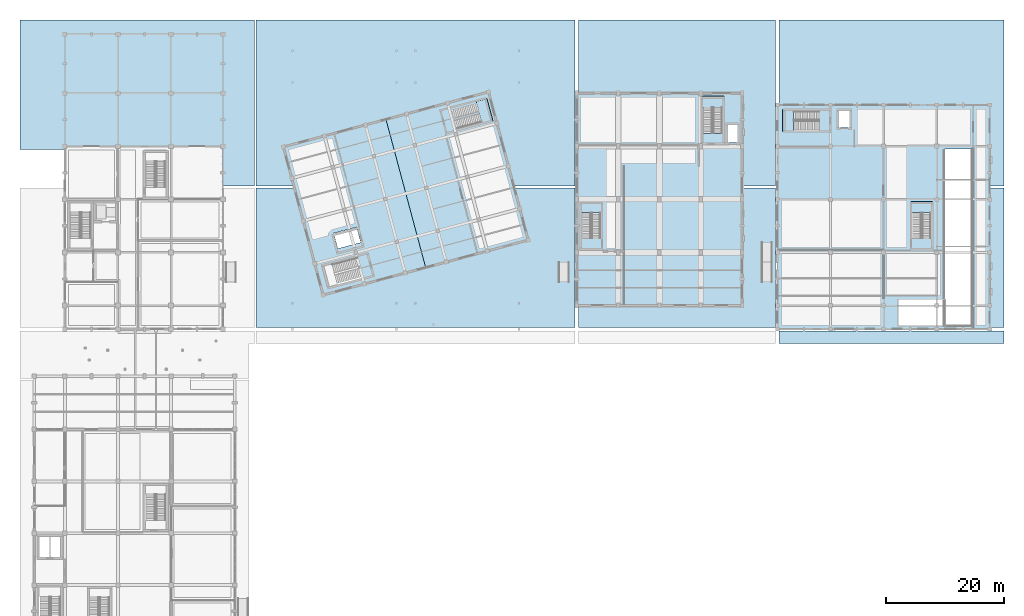
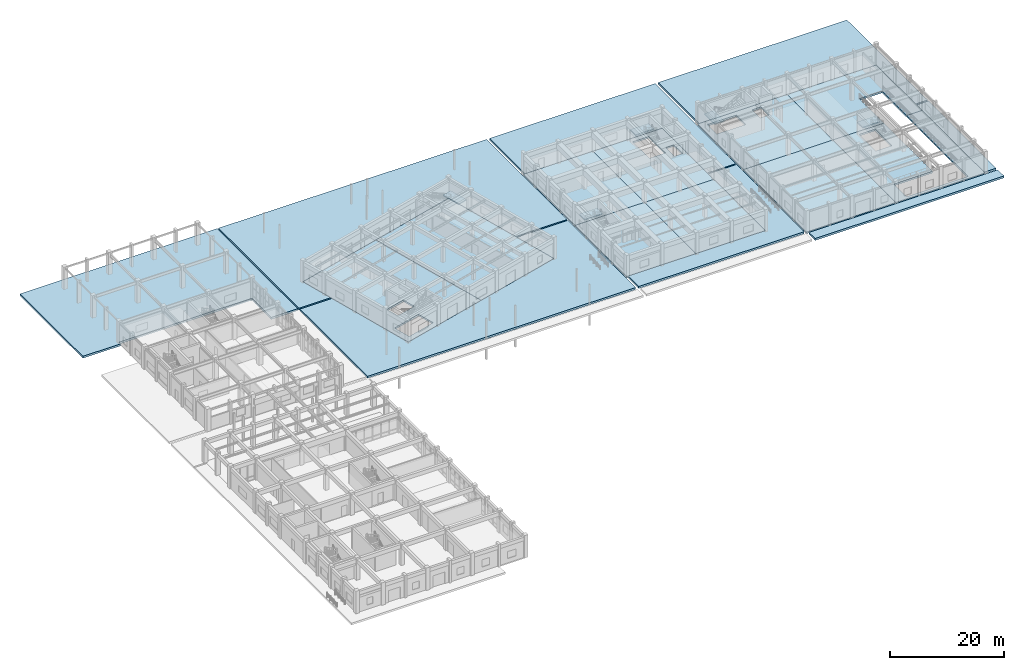
# One storey, part 31 of 47: 23 slabs, 5 elements without a shape of their own.
"""IFC4 building model written with IfcOpenShell, lengths in metres."""

import ifcopenshell
import ifcopenshell.guid

model = None  # the IFC model being written
_history = None  # IfcOwnerHistory: only IFC2X3 demands one
_inside = {}  # id of a spatial element -> (the spatial element, [elements in it])
_under = {}  # id of a project, library or spatial element -> (it, [spatial elements below it])
_declared = {}  # id of a project -> (the project, [libraries it declares])
_typed = {}  # id of a type object -> (the type object, [elements of that type])
_made_of = {}  # id of a material, layer set ... -> (it, [elements and type objects made of it])


def new_model(schema):
    """Start an empty IFC model of exactly this schema.

    Asked for "IFC4X3", IfcOpenShell would pick the latest addendum, in which some entities
    have other attributes; the version numbers below select the first issue.
    IFC2X3 requires an IfcOwnerHistory on every rooted entity: one is made here for all.
    """
    global model, _history
    if schema == "IFC4X3":
        model = ifcopenshell.file(schema_version=(4, 3, 0, 0))
    else:
        model = ifcopenshell.file(schema=schema)
    _inside.clear()
    _under.clear()
    _declared.clear()
    _typed.clear()
    _made_of.clear()
    _history = None
    if model.schema == "IFC2X3":
        org = make("IfcOrganization", Name="unknown")
        user = make(
            "IfcPersonAndOrganization",
            ThePerson=make("IfcPerson", FamilyName="unknown"),
            TheOrganization=org,
        )
        app = make(
            "IfcApplication",
            ApplicationDeveloper=org,
            Version="unknown",
            ApplicationFullName="unknown",
            ApplicationIdentifier="unknown",
        )
        _history = make(
            "IfcOwnerHistory",
            OwningUser=user,
            OwningApplication=app,
            ChangeAction="ADDED",
            CreationDate=0,
        )
    return model


def make(cls, **values):
    """One entity of the class cls with the attributes given. An attribute that is None is left unset."""
    return model.create_entity(
        cls, **{name: value for name, value in values.items() if value is not None}
    )


def rooted(cls, **values):
    """An entity with a GlobalId (a new one), such as an element, a storey or a relation."""
    return make(cls, GlobalId=ifcopenshell.guid.new(), OwnerHistory=_history, **values)


def si_unit(unit_type, name, prefix=None):
    """IfcSIUnit, for example si_unit("LENGTHUNIT", "METRE", prefix="MILLI")."""
    return make("IfcSIUnit", UnitType=unit_type, Prefix=prefix, Name=name)


def assignment(units):
    """IfcUnitAssignment: the units of a project."""
    return None if units is None else make("IfcUnitAssignment", Units=units)


def point(xyz):
    """IfcCartesianPoint."""
    return None if xyz is None else make("IfcCartesianPoint", Coordinates=xyz)


def direction(xyz):
    """IfcDirection."""
    return None if xyz is None else make("IfcDirection", DirectionRatios=xyz)


def frame(location, z_axis=None, x_axis=None):
    """IfcAxis2Placement3D, a coordinate frame: its origin and axes. An axis left out is left unset."""
    return make(
        "IfcAxis2Placement3D",
        Location=point(location),
        Axis=direction(z_axis),
        RefDirection=direction(x_axis),
    )


def origin():
    """The frame at (0, 0, 0) with its axes left unset."""
    return frame((0.0, 0.0, 0.0))


def place(relative_to, where):
    """IfcLocalPlacement: puts the frame where relative to a parent placement (None: the world)."""
    return make(
        "IfcLocalPlacement", PlacementRelTo=relative_to, RelativePlacement=where
    )


def context(
    kind, dimensions, precision=None, world=None, true_north=None, identifier=None
):
    """IfcGeometricRepresentationContext, for example the 3D "Model" context."""
    return make(
        "IfcGeometricRepresentationContext",
        ContextIdentifier=identifier,
        ContextType=kind,
        CoordinateSpaceDimension=dimensions,
        Precision=precision,
        WorldCoordinateSystem=world,
        TrueNorth=true_north,
    )


def subcontext(parent, identifier, kind, view, scale=None):
    """IfcGeometricRepresentationSubContext, for example "Body" below "Model"."""
    return make(
        "IfcGeometricRepresentationSubContext",
        ContextIdentifier=identifier,
        ContextType=kind,
        ParentContext=parent,
        TargetScale=scale,
        TargetView=view,
    )


def project(units=None, contexts=None):
    """IfcProject with its units and contexts."""
    return rooted(
        "IfcProject",
        Name="project",
        RepresentationContexts=contexts,
        UnitsInContext=assignment(units),
    )


def spatial(cls, under=None, at=None, **own):
    """A site, building, storey or space (cls), placed at a placement, below another one or the project."""
    s = rooted(cls, ObjectPlacement=at, **own)
    if under is not None:
        _under.setdefault(under.id(), (under, []))[1].append(s)
    return s


def polyline(points):
    """IfcPolyline through the points."""
    return make("IfcPolyline", Points=[point(p) for p in points])


def outline(outer, holes=None, kind="AREA"):
    """IfcArbitraryClosedProfileDef: a profile drawn as a closed curve; with holes, ...WithVoids."""
    if holes is None:
        return make("IfcArbitraryClosedProfileDef", ProfileType=kind, OuterCurve=outer)
    return make(
        "IfcArbitraryProfileDefWithVoids",
        ProfileType=kind,
        OuterCurve=outer,
        InnerCurves=holes,
    )


def extrude(swept, where, along, depth):
    """IfcExtrudedAreaSolid: the profile swept, set in the frame where, extruded along a direction by depth."""
    return make(
        "IfcExtrudedAreaSolid",
        SweptArea=swept,
        Position=where,
        ExtrudedDirection=direction(along),
        Depth=depth,
    )


def shape(context_of_items, identifier, shape_type, items):
    """IfcShapeRepresentation: the items that make up one representation, for example the "Body"."""
    return make(
        "IfcShapeRepresentation",
        ContextOfItems=context_of_items,
        RepresentationIdentifier=identifier,
        RepresentationType=shape_type,
        Items=items,
    )


def material(Name=None, Category=None):
    """IfcMaterial."""
    return make("IfcMaterial", Name=Name, Category=Category)


def layer(
    of_material, thickness, ventilated=None, Name=None, Category=None, Priority=None
):
    """IfcMaterialLayer: one layer of a wall or slab, of a material (None: an air gap)."""
    return make(
        "IfcMaterialLayer",
        Material=of_material,
        LayerThickness=thickness,
        IsVentilated=ventilated,
        Name=Name,
        Category=Category,
        Priority=Priority,
    )


def layer_set(layers, Name=None):
    """IfcMaterialLayerSet."""
    return make("IfcMaterialLayerSet", MaterialLayers=layers, LayerSetName=Name)


def made_of(thing, what):
    """Note that an element or type object is made of a material, layer set ...; save() writes the relation."""
    if what is not None:
        _made_of.setdefault(what.id(), (what, []))[1].append(thing)
    return thing


def type_object(cls, material=None, **own):
    """A type object (cls), such as IfcWallType, which elements share."""
    return made_of(rooted(cls, **own), material)


def element(
    cls,
    number,
    at=None,
    inside=None,
    cuts=None,
    type_object=None,
    material=None,
    context=None,
    identifier="Body",
    shape_type=None,
    held_by="IfcProductDefinitionShape",
    body=None,
    shapes=None,
    **own,
):
    """One element of the class cls, such as IfcWall. Its Tag is "e" and its number.

    at: its placement. inside: the storey or other place that contains it. cuts: it is an
    opening in that element (IfcRelVoidsElement). A single representation is given by context,
    identifier, shape_type and body (its items); several are given by shapes. held_by: the class
    of the entity that holds the representations. save() writes the other relations.
    """
    e = rooted(cls, Tag="e%d" % number, ObjectPlacement=at, **own)
    if body is not None:
        shapes = [shape(context, identifier, shape_type, body)]
    if shapes is not None:
        e.Representation = make(held_by, Representations=shapes)
    if inside is not None:
        _inside.setdefault(inside.id(), (inside, []))[1].append(e)
    if cuts is not None:
        rooted(
            "IfcRelVoidsElement", RelatingBuildingElement=cuts, RelatedOpeningElement=e
        )
    if type_object is not None:
        _typed.setdefault(type_object.id(), (type_object, []))[1].append(e)
    return made_of(e, material)


def aggregate(whole, parts):
    """IfcRelAggregates: a whole, such as a stair, and the parts it consists of."""
    return rooted("IfcRelAggregates", RelatingObject=whole, RelatedObjects=parts)


def save(model, path):
    """Write the relations noted so far, then the file.

    IfcRelAggregates (storeys below a building ...), IfcRelContainedInSpatialStructure (elements
    in a storey), IfcRelDefinesByType, IfcRelAssociatesMaterial and IfcRelDeclares: one each for
    every whole, place, type object, material and project.
    """
    for whole, parts in _under.values():
        aggregate(whole, parts)
    for where, things in _inside.values():
        rooted(
            "IfcRelContainedInSpatialStructure",
            RelatedElements=things,
            RelatingStructure=where,
        )
    for kind, things in _typed.values():
        rooted("IfcRelDefinesByType", RelatedObjects=things, RelatingType=kind)
    for what, things in _made_of.values():
        rooted("IfcRelAssociatesMaterial", RelatedObjects=things, RelatingMaterial=what)
    for by, libraries in _declared.values():
        rooted("IfcRelDeclares", RelatingContext=by, RelatedDefinitions=libraries)
    model.write(path)


model = new_model("IFC4")

# Units and contexts
model_context = context("Model", 3, precision=1e-05, world=origin(), true_north=direction((0.0, 1.0)))
body_context = subcontext(model_context, "Body", "Model", "MODEL_VIEW")
ifc_project = project(units=[si_unit("LENGTHUNIT", "METRE"), si_unit("AREAUNIT", "SQUARE_METRE"), si_unit("VOLUMEUNIT", "CUBIC_METRE"), si_unit("PLANEANGLEUNIT", "RADIAN"), si_unit("MASSUNIT", "GRAM", prefix="KILO")], contexts=[model_context])

# Site, building, storey
site_placement = place(None, origin())
site = spatial("IfcSite", under=ifc_project, at=site_placement, CompositionType="ELEMENT")
building_placement = place(site_placement, origin())
building = spatial("IfcBuilding", under=site, at=building_placement, Name="Ventoquebrada Cableway Terminal", CompositionType="ELEMENT")
storey_placement = place(building_placement, origin())
storey = spatial("IfcBuildingStorey", under=building, at=storey_placement, Name="L00", CompositionType="ELEMENT", Elevation=0.0)

# Slabs
ifc_material = material(Name="Concrete C40/50", Category="concrete")
ifc_layer_1 = layer(ifc_material, 0.360107421875)
ifc_layer_set_1 = layer_set([ifc_layer_1], Name="Concrete C40/50")
slab_type_1 = type_object("IfcSlabType", Name="SL-FL1", PredefinedType="FLOOR", material=ifc_layer_set_1)
slab_1_placement = place(storey_placement, frame((0.0, 0.0, -0.360107421875)))
element("IfcSlab", 1, at=slab_1_placement, inside=storey, type_object=slab_type_1, Name="Reinforced concrete floor slab SL-051", PredefinedType="FLOOR", context=body_context, shape_type="SweptSolid", body=[
    extrude(outline(polyline([(147.0, 64.0), (147.0, 86.0), (129.0, 86.0), (129.0, 64.0), (147.0, 64.0)])), origin(), (0.0, 0.0, 1.0), 0.360107421875),
])
slab_2_placement = place(storey_placement, frame((0.0, 0.0, -0.360107421875)))
element("IfcSlab", 2, at=slab_2_placement, inside=storey, type_object=slab_type_1, Name="Reinforced concrete floor slab SL-052", PredefinedType="FLOOR", context=body_context, shape_type="SweptSolid", body=[
    extrude(outline(polyline([(129.0, 86.0), (147.0, 86.0), (147.0, 102.0), (129.0, 102.0), (129.0, 86.0)]), holes=[polyline([(136.159912109375, 101.0), (136.159912109375, 97.699951171875), (130.35009765625, 97.699951171875), (130.35009765625, 101.0), (136.159912109375, 101.0)]), polyline([(141.199951171875, 98.199951171875), (139.39990234375, 98.199951171875), (139.39990234375, 101.0), (141.199951171875, 101.0), (141.199951171875, 98.199951171875)])]), origin(), (0.0, 0.0, 1.0), 0.360107421875),
])
slab_3_placement = place(storey_placement, frame((0.0, 0.0, -0.360107421875)))
element("IfcSlab", 3, at=slab_3_placement, inside=storey, type_object=slab_type_1, Name="Reinforced concrete floor slab SL-053", PredefinedType="FLOOR", context=body_context, shape_type="SweptSolid", body=[
    extrude(outline(polyline([(147.0, 64.0), (165.0, 64.0), (165.0, 86.0), (161.89990234375, 86.0), (161.89990234375, 64.60009765625), (149.5, 64.60009765625), (149.5, 69.0), (157.300048828125, 69.0), (157.300048828125, 86.0), (147.0, 86.0), (147.0, 64.0)]), holes=[polyline([(155.050048828125, 85.14990234375), (155.050048828125, 79.340087890625), (151.85009765625, 79.340087890625), (151.85009765625, 85.14990234375), (155.050048828125, 85.14990234375)])]), origin(), (0.0, 0.0, 1.0), 0.360107421875),
])
slab_4_placement = place(storey_placement, frame((0.0, 0.0, -0.360107421875)))
element("IfcSlab", 4, at=slab_4_placement, inside=storey, type_object=slab_type_1, Name="Reinforced concrete floor slab SL-054", PredefinedType="FLOOR", context=body_context, shape_type="SweptSolid", body=[
    extrude(outline(polyline([(157.300048828125, 86.0), (157.300048828125, 94.550048828125), (161.89990234375, 94.550048828125), (161.89990234375, 86.0), (165.0, 86.0), (165.0, 102.0), (147.0, 102.0), (147.0, 86.0), (157.300048828125, 86.0)])), origin(), (0.0, 0.0, 1.0), 0.360107421875),
])
ifc_layer_2 = layer(ifc_material, 0.35009765625)
ifc_layer_set_2 = layer_set([ifc_layer_2], Name="Concrete C40/50")
slab_type_2 = type_object("IfcSlabType", Name="SL-FL2", PredefinedType="FLOOR", material=ifc_layer_set_2)
slab_5_placement = place(storey_placement, frame((0.0, 0.0, -0.35009765625)))
element("IfcSlab", 5, at=slab_5_placement, inside=storey, type_object=slab_type_2, Name="Reinforced concrete floor slab SL-035", PredefinedType="FLOOR", context=body_context, shape_type="SweptSolid", body=[
    extrude(outline(polyline([(109.0, 68.0), (109.0, 86.0), (95.0, 86.0), (95.0, 68.0), (109.0, 68.0)])), origin(), (0.0, 0.0, 1.0), 0.35009765625),
])
slab_6_placement = place(storey_placement, frame((0.0, 0.0, -0.35009765625)))
element("IfcSlab", 6, at=slab_6_placement, inside=storey, type_object=slab_type_2, Name="Reinforced concrete floor slab SL-036", PredefinedType="FLOOR", context=body_context, shape_type="SweptSolid", body=[
    extrude(outline(polyline([(109.0, 86.0), (109.0, 104.0), (95.0, 104.0), (95.0, 86.0), (109.0, 86.0)])), origin(), (0.0, 0.0, 1.0), 0.35009765625),
])
slab_7_placement = place(storey_placement, frame((0.0, 0.0, -0.35009765625)))
element("IfcSlab", 7, at=slab_7_placement, inside=storey, type_object=slab_type_2, Name="Reinforced concrete floor slab SL-037", PredefinedType="FLOOR", context=body_context, shape_type="SweptSolid", body=[
    extrude(outline(polyline([(123.0, 68.0), (123.0, 86.0), (109.0, 86.0), (109.0, 68.0), (123.0, 68.0)])), origin(), (0.0, 0.0, 1.0), 0.35009765625),
])
slab_8_placement = place(storey_placement, frame((0.0, 0.0, -0.35009765625)))
element("IfcSlab", 8, at=slab_8_placement, inside=storey, type_object=slab_type_2, Name="Reinforced concrete floor slab SL-038", PredefinedType="FLOOR", context=body_context, shape_type="SweptSolid", body=[
    extrude(outline(polyline([(109.0, 86.0), (123.0, 86.0), (123.0, 104.0), (109.0, 104.0), (109.0, 86.0)]), holes=[polyline([(119.699951171875, 103.0), (119.699951171875, 97.18994140625), (116.449951171875, 97.18994140625), (116.449951171875, 103.0), (119.699951171875, 103.0)]), polyline([(122.199951171875, 95.60009765625), (120.60009765625, 95.60009765625), (120.60009765625, 98.60009765625), (122.199951171875, 98.60009765625), (122.199951171875, 95.60009765625)])]), origin(), (0.0, 0.0, 1.0), 0.35009765625),
])
slab_9_placement = place(storey_placement, frame((0.0, 0.0, -0.35009765625)))
element("IfcSlab", 9, at=slab_9_placement, inside=storey, type_object=slab_type_2, Name="Splayed boarding deck slab SL-069", PredefinedType="FLOOR", context=body_context, shape_type="SweptSolid", body=[
    extrude(outline(polyline([(45.2490234375, 94.89794921875), (51.97802734375, 69.783935546875), (69.364990234375, 74.443115234375), (62.635009765625, 99.556884765625), (45.2490234375, 94.89794921875)]), holes=[polyline([(58.7060546875, 72.72607421875), (52.9970703125, 71.196044921875), (52.06591796875, 74.673095703125), (57.77392578125, 76.202880859375), (58.7060546875, 72.72607421875)]), polyline([(54.47802734375, 77.64892578125), (53.779052734375, 80.257080078125), (57.64208984375, 81.2919921875), (58.341064453125, 78.68408203125), (54.47802734375, 77.64892578125)])]), origin(), (0.0, 0.0, 1.0), 0.35009765625),
])
slab_10_placement = place(storey_placement, frame((0.0, 0.0, -0.35009765625)))
element("IfcSlab", 10, at=slab_10_placement, inside=storey, type_object=slab_type_2, Name="Splayed boarding deck slab SL-070", PredefinedType="FLOOR", context=body_context, shape_type="SweptSolid", body=[
    extrude(outline(polyline([(69.364990234375, 74.443115234375), (86.7509765625, 79.10205078125), (80.02197265625, 104.216064453125), (62.635009765625, 99.556884765625), (69.364990234375, 74.443115234375)])), origin(), (0.0, 0.0, 1.0), 0.35009765625),
])

# Stair, slab
stair_type_1 = type_object("IfcStairType", Name="ST-T09", PredefinedType="HALF_TURN_STAIR", material=ifc_material)
stair_1_placement = place(storey_placement, origin())
stair_1 = element("IfcStair", 11, at=stair_1_placement, inside=storey, type_object=stair_type_1, Name="Protected half-turn stair ST-25", PredefinedType="HALF_TURN_STAIR")
ifc_layer_3 = layer(ifc_material, 0.219970703125)
ifc_layer_set_3 = layer_set([ifc_layer_3], Name="Concrete C40/50")
slab_type_3 = type_object("IfcSlabType", Name="SL-LD1", PredefinedType="LANDING", material=ifc_layer_set_3)
slab_11_placement = place(storey_placement, frame((0.0, 0.0, 2.179931640625)))
slab_11 = element("IfcSlab", 12, at=slab_11_placement, type_object=slab_type_3, Name="Intermediate stair landing LDG-025", PredefinedType="LANDING", context=body_context, shape_type="SweptSolid", body=[
    extrude(outline(polyline([(119.909912109375, 101.590087890625), (119.909912109375, 103.510009765625), (116.22998046875, 103.510009765625), (116.22998046875, 101.590087890625), (119.909912109375, 101.590087890625)])), origin(), (0.0, 0.0, 1.0), 0.219970703125),
])
aggregate(stair_1, [slab_11])

stair_2_placement = place(storey_placement, origin())
stair_2 = element("IfcStair", 13, at=stair_2_placement, inside=storey, type_object=stair_type_1, Name="Protected half-turn stair ST-26", PredefinedType="HALF_TURN_STAIR")
slab_12_placement = place(storey_placement, frame((0.0, 0.0, 2.179931640625)))
slab_12 = element("IfcSlab", 14, at=slab_12_placement, type_object=slab_type_3, Name="Intermediate stair landing LDG-026", PredefinedType="LANDING", context=body_context, shape_type="SweptSolid", body=[
    extrude(outline(polyline([(131.760009765625, 101.2099609375), (129.840087890625, 101.2099609375), (129.840087890625, 97.530029296875), (131.760009765625, 97.530029296875), (131.760009765625, 101.2099609375)])), origin(), (0.0, 0.0, 1.0), 0.219970703125),
])
aggregate(stair_2, [slab_12])

stair_type_2 = type_object("IfcStairType", Name="ST-T10", PredefinedType="HALF_TURN_STAIR", material=ifc_material)
stair_3_placement = place(storey_placement, origin())
stair_3 = element("IfcStair", 15, at=stair_3_placement, inside=storey, type_object=stair_type_2, Name="Protected half-turn stair ST-27", PredefinedType="HALF_TURN_STAIR")
slab_13_placement = place(storey_placement, frame((0.0, 0.0, 2.179931640625)))
slab_13 = element("IfcSlab", 16, at=slab_13_placement, type_object=slab_type_3, Name="Intermediate stair landing LDG-027", PredefinedType="LANDING", context=body_context, shape_type="SweptSolid", body=[
    extrude(outline(polyline([(155.260009765625, 83.739990234375), (155.260009765625, 85.659912109375), (151.679931640625, 85.659912109375), (151.679931640625, 83.739990234375), (155.260009765625, 83.739990234375)])), origin(), (0.0, 0.0, 1.0), 0.219970703125),
])
aggregate(stair_3, [slab_13])

stair_type_3 = type_object("IfcStairType", Name="ST-T04", PredefinedType="HALF_TURN_STAIR", material=ifc_material)
stair_4_placement = place(storey_placement, origin())
stair_4 = element("IfcStair", 17, at=stair_4_placement, inside=storey, type_object=stair_type_3, Name="Protected half-turn stair ST-32", PredefinedType="HALF_TURN_STAIR")
slab_14_placement = place(storey_placement, frame((0.0, 0.0, 2.179931640625)))
slab_14 = element("IfcSlab", 18, at=slab_14_placement, type_object=slab_type_3, Name="Intermediate stair landing LDG-032", PredefinedType="LANDING", context=body_context, shape_type="SweptSolid", body=[
    extrude(outline(polyline([(78.9169921875, 98.8359375), (80.77197265625, 99.3330078125), (79.76708984375, 103.0810546875), (77.9130859375, 102.583984375), (78.9169921875, 98.8359375)])), origin(), (0.0, 0.0, 1.0), 0.219970703125),
])
aggregate(stair_4, [slab_14])

stair_5_placement = place(storey_placement, origin())
stair_5 = element("IfcStair", 19, at=stair_5_placement, inside=storey, type_object=stair_type_2, Name="Protected half-turn stair ST-33", PredefinedType="HALF_TURN_STAIR")
slab_15_placement = place(storey_placement, frame((0.0, 0.0, 2.179931640625)))
slab_15 = element("IfcSlab", 20, at=slab_15_placement, type_object=slab_type_3, Name="Intermediate stair landing LDG-033", PredefinedType="LANDING", context=body_context, shape_type="SweptSolid", body=[
    extrude(outline(polyline([(99.260009765625, 83.739990234375), (99.260009765625, 85.659912109375), (95.679931640625, 85.659912109375), (95.679931640625, 83.739990234375), (99.260009765625, 83.739990234375)])), origin(), (0.0, 0.0, 1.0), 0.219970703125),
])
aggregate(stair_5, [slab_15])

# Slabs
ifc_layer_4 = layer(ifc_material, 0.419921875)
ifc_layer_set_4 = layer_set([ifc_layer_4], Name="Concrete C40/50")
slab_type_4 = type_object("IfcSlabType", Name="SL-TR1", PredefinedType="FLOOR", material=ifc_layer_set_4)
slab_16_placement = place(storey_placement, frame((0.0, 0.0, -0.419921875)))
element("IfcSlab", 21, at=slab_16_placement, inside=storey, type_object=slab_type_4, Name="Exterior basalt arrival court slab SL-080", PredefinedType="FLOOR", context=body_context, shape_type="SweptSolid", body=[
    extrude(outline(polyline([(0.590087890625, 116.409912109375), (0.590087890625, 94.43701171875), (8.199951171875, 94.43701171875), (8.199951171875, 95.0), (35.0, 95.0), (35.0, 88.239990234375), (40.360107421875, 88.239990234375), (40.360107421875, 116.409912109375), (0.590087890625, 116.409912109375)])), origin(), (0.0, 0.0, 1.0), 0.419921875),
])
slab_17_placement = place(storey_placement, frame((0.0, 0.0, -0.419921875)))
element("IfcSlab", 22, at=slab_17_placement, inside=storey, type_object=slab_type_4, Name="Exterior basalt arrival court slab SL-082", PredefinedType="FLOOR", context=body_context, shape_type="SweptSolid", body=[
    extrude(outline(polyline([(84.3779296875, 87.9599609375), (86.7509765625, 79.10205078125), (51.97802734375, 69.783935546875), (47.10791015625, 87.9599609375), (40.639892578125, 87.9599609375), (40.639892578125, 64.300048828125), (94.699951171875, 64.300048828125), (94.699951171875, 87.9599609375), (84.3779296875, 87.9599609375)])), origin(), (0.0, 0.0, 1.0), 0.419921875),
])
slab_18_placement = place(storey_placement, frame((0.0, 0.0, -0.419921875)))
element("IfcSlab", 23, at=slab_18_placement, inside=storey, type_object=slab_type_4, Name="Exterior basalt arrival court slab SL-125", PredefinedType="FLOOR", context=body_context, shape_type="SweptSolid", body=[
    extrude(outline(polyline([(47.032958984375, 88.239990234375), (45.2490234375, 94.89794921875), (80.02197265625, 104.216064453125), (84.302978515625, 88.239990234375), (94.699951171875, 88.239990234375), (94.699951171875, 116.409912109375), (40.639892578125, 116.409912109375), (40.639892578125, 88.239990234375), (47.032958984375, 88.239990234375)])), origin(), (0.0, 0.0, 1.0), 0.419921875),
])
slab_19_placement = place(storey_placement, frame((0.0, 0.0, -0.419921875)))
element("IfcSlab", 24, at=slab_19_placement, inside=storey, type_object=slab_type_4, Name="Exterior basalt arrival court slab SL-127", PredefinedType="FLOOR", context=body_context, shape_type="SweptSolid", body=[
    extrude(outline(polyline([(123.0, 87.9599609375), (123.0, 68.0), (95.300048828125, 68.0), (95.300048828125, 64.300048828125), (128.699951171875, 64.300048828125), (128.699951171875, 87.9599609375), (123.0, 87.9599609375)])), origin(), (0.0, 0.0, 1.0), 0.419921875),
])
slab_20_placement = place(storey_placement, frame((0.0, 0.0, -0.419921875)))
element("IfcSlab", 25, at=slab_20_placement, inside=storey, type_object=slab_type_4, Name="Exterior basalt arrival court slab SL-128", PredefinedType="FLOOR", context=body_context, shape_type="SweptSolid", body=[
    extrude(outline(polyline([(95.300048828125, 104.0), (123.0, 104.0), (123.0, 88.239990234375), (128.699951171875, 88.239990234375), (128.699951171875, 116.409912109375), (95.300048828125, 116.409912109375), (95.300048828125, 104.0)])), origin(), (0.0, 0.0, 1.0), 0.419921875),
])
slab_21_placement = place(storey_placement, frame((0.0, 0.0, -0.419921875)))
element("IfcSlab", 26, at=slab_21_placement, inside=storey, type_object=slab_type_4, Name="Exterior basalt arrival court slab SL-129", PredefinedType="FLOOR", context=body_context, shape_type="SweptSolid", body=[
    extrude(outline(polyline([(129.300048828125, 61.550048828125), (167.409912109375, 61.550048828125), (167.409912109375, 63.699951171875), (129.300048828125, 63.699951171875), (129.300048828125, 61.550048828125)])), origin(), (0.0, 0.0, 1.0), 0.419921875),
])
slab_22_placement = place(storey_placement, frame((0.0, 0.0, -0.419921875)))
element("IfcSlab", 27, at=slab_22_placement, inside=storey, type_object=slab_type_4, Name="Exterior basalt arrival court slab SL-130", PredefinedType="FLOOR", context=body_context, shape_type="SweptSolid", body=[
    extrude(outline(polyline([(165.0, 87.9599609375), (165.0, 64.300048828125), (167.409912109375, 64.300048828125), (167.409912109375, 87.9599609375), (165.0, 87.9599609375)])), origin(), (0.0, 0.0, 1.0), 0.419921875),
])
slab_23_placement = place(storey_placement, frame((0.0, 0.0, -0.419921875)))
element("IfcSlab", 28, at=slab_23_placement, inside=storey, type_object=slab_type_4, Name="Exterior basalt arrival court slab SL-131", PredefinedType="FLOOR", context=body_context, shape_type="SweptSolid", body=[
    extrude(outline(polyline([(129.300048828125, 116.409912109375), (129.300048828125, 102.0), (165.0, 102.0), (165.0, 88.239990234375), (167.409912109375, 88.239990234375), (167.409912109375, 116.409912109375), (129.300048828125, 116.409912109375)])), origin(), (0.0, 0.0, 1.0), 0.419921875),
])

save(model, "model.ifc")
